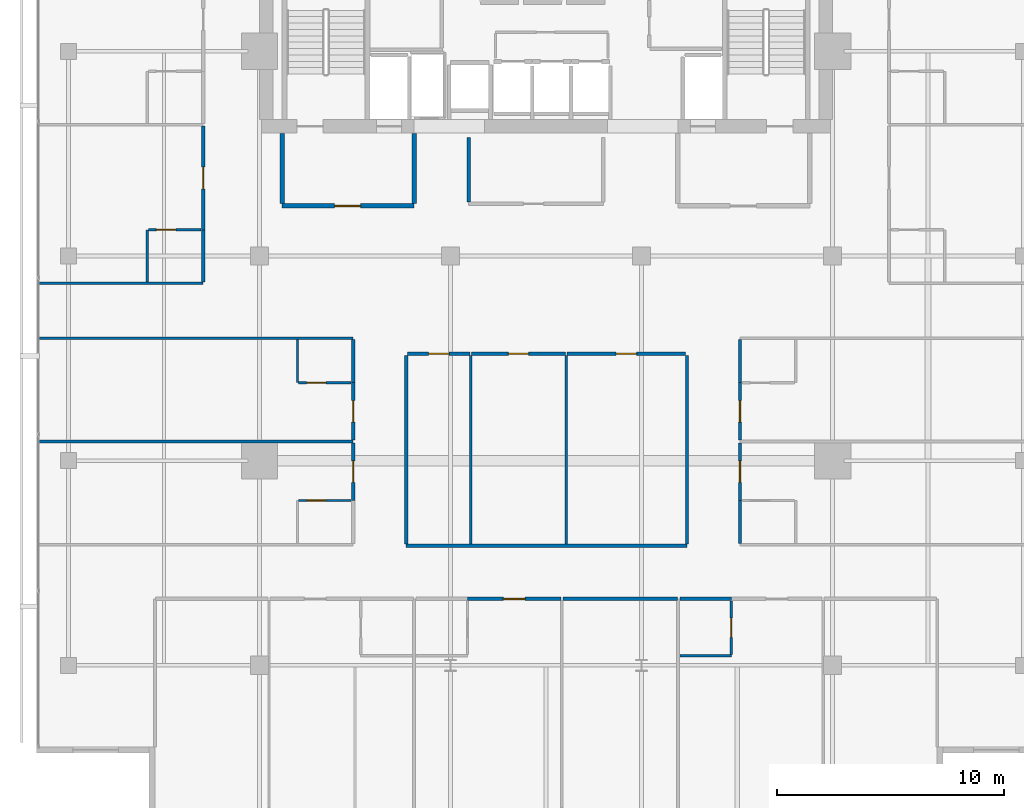
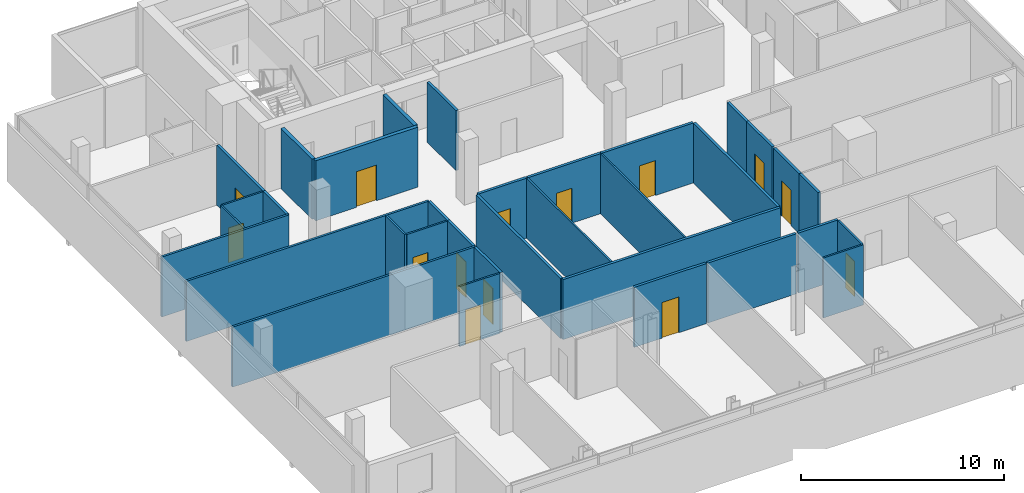
# One storey, part 20 of 25: 34 walls, 14 doors, 14 openings.
"""IFC4 building model written with IfcOpenShell, lengths in metres."""

import ifcopenshell
import ifcopenshell.guid

model = None  # the IFC model being written
_history = None  # IfcOwnerHistory: only IFC2X3 demands one
_inside = {}  # id of a spatial element -> (the spatial element, [elements in it])
_under = {}  # id of a project, library or spatial element -> (it, [spatial elements below it])
_declared = {}  # id of a project -> (the project, [libraries it declares])
_typed = {}  # id of a type object -> (the type object, [elements of that type])
_made_of = {}  # id of a material, layer set ... -> (it, [elements and type objects made of it])


def new_model(schema):
    """Start an empty IFC model of exactly this schema.

    Asked for "IFC4X3", IfcOpenShell would pick the latest addendum, in which some entities
    have other attributes; the version numbers below select the first issue.
    IFC2X3 requires an IfcOwnerHistory on every rooted entity: one is made here for all.
    """
    global model, _history
    if schema == "IFC4X3":
        model = ifcopenshell.file(schema_version=(4, 3, 0, 0))
    else:
        model = ifcopenshell.file(schema=schema)
    _inside.clear()
    _under.clear()
    _declared.clear()
    _typed.clear()
    _made_of.clear()
    _history = None
    if model.schema == "IFC2X3":
        org = make("IfcOrganization", Name="unknown")
        user = make(
            "IfcPersonAndOrganization",
            ThePerson=make("IfcPerson", FamilyName="unknown"),
            TheOrganization=org,
        )
        app = make(
            "IfcApplication",
            ApplicationDeveloper=org,
            Version="unknown",
            ApplicationFullName="unknown",
            ApplicationIdentifier="unknown",
        )
        _history = make(
            "IfcOwnerHistory",
            OwningUser=user,
            OwningApplication=app,
            ChangeAction="ADDED",
            CreationDate=0,
        )
    return model


def make(cls, **values):
    """One entity of the class cls with the attributes given. An attribute that is None is left unset."""
    return model.create_entity(
        cls, **{name: value for name, value in values.items() if value is not None}
    )


def rooted(cls, **values):
    """An entity with a GlobalId (a new one), such as an element, a storey or a relation."""
    return make(cls, GlobalId=ifcopenshell.guid.new(), OwnerHistory=_history, **values)


def si_unit(unit_type, name, prefix=None):
    """IfcSIUnit, for example si_unit("LENGTHUNIT", "METRE", prefix="MILLI")."""
    return make("IfcSIUnit", UnitType=unit_type, Prefix=prefix, Name=name)


def assignment(units):
    """IfcUnitAssignment: the units of a project."""
    return None if units is None else make("IfcUnitAssignment", Units=units)


def point(xyz):
    """IfcCartesianPoint."""
    return None if xyz is None else make("IfcCartesianPoint", Coordinates=xyz)


def direction(xyz):
    """IfcDirection."""
    return None if xyz is None else make("IfcDirection", DirectionRatios=xyz)


def frame(location, z_axis=None, x_axis=None):
    """IfcAxis2Placement3D, a coordinate frame: its origin and axes. An axis left out is left unset."""
    return make(
        "IfcAxis2Placement3D",
        Location=point(location),
        Axis=direction(z_axis),
        RefDirection=direction(x_axis),
    )


def frame_2d(location, x_axis=None):
    """IfcAxis2Placement2D, a coordinate frame in the plane: its origin and x axis."""
    return make(
        "IfcAxis2Placement2D", Location=point(location), RefDirection=direction(x_axis)
    )


def origin():
    """The frame at (0, 0, 0) with its axes left unset."""
    return frame((0.0, 0.0, 0.0))


def place(relative_to, where):
    """IfcLocalPlacement: puts the frame where relative to a parent placement (None: the world)."""
    return make(
        "IfcLocalPlacement", PlacementRelTo=relative_to, RelativePlacement=where
    )


def context(
    kind, dimensions, precision=None, world=None, true_north=None, identifier=None
):
    """IfcGeometricRepresentationContext, for example the 3D "Model" context."""
    return make(
        "IfcGeometricRepresentationContext",
        ContextIdentifier=identifier,
        ContextType=kind,
        CoordinateSpaceDimension=dimensions,
        Precision=precision,
        WorldCoordinateSystem=world,
        TrueNorth=true_north,
    )


def subcontext(parent, identifier, kind, view, scale=None):
    """IfcGeometricRepresentationSubContext, for example "Body" below "Model"."""
    return make(
        "IfcGeometricRepresentationSubContext",
        ContextIdentifier=identifier,
        ContextType=kind,
        ParentContext=parent,
        TargetScale=scale,
        TargetView=view,
    )


def project(units=None, contexts=None):
    """IfcProject with its units and contexts."""
    return rooted(
        "IfcProject",
        Name="project",
        RepresentationContexts=contexts,
        UnitsInContext=assignment(units),
    )


def spatial(cls, under=None, at=None, **own):
    """A site, building, storey or space (cls), placed at a placement, below another one or the project."""
    s = rooted(cls, ObjectPlacement=at, **own)
    if under is not None:
        _under.setdefault(under.id(), (under, []))[1].append(s)
    return s


def profile(cls, at=None, kind="AREA", **sizes):
    """A parametric profile (cls). Its sizes go by their IFC names, for example OverallWidth=200.0."""
    return make(cls, ProfileType=kind, Position=at, **sizes)


def rectangle(**sizes):
    """IfcRectangleProfileDef."""
    return profile("IfcRectangleProfileDef", **sizes)


def extrude(swept, where, along, depth):
    """IfcExtrudedAreaSolid: the profile swept, set in the frame where, extruded along a direction by depth."""
    return make(
        "IfcExtrudedAreaSolid",
        SweptArea=swept,
        Position=where,
        ExtrudedDirection=direction(along),
        Depth=depth,
    )


def shape(context_of_items, identifier, shape_type, items):
    """IfcShapeRepresentation: the items that make up one representation, for example the "Body"."""
    return make(
        "IfcShapeRepresentation",
        ContextOfItems=context_of_items,
        RepresentationIdentifier=identifier,
        RepresentationType=shape_type,
        Items=items,
    )


def material(Name=None, Category=None):
    """IfcMaterial."""
    return make("IfcMaterial", Name=Name, Category=Category)


def layer(
    of_material, thickness, ventilated=None, Name=None, Category=None, Priority=None
):
    """IfcMaterialLayer: one layer of a wall or slab, of a material (None: an air gap)."""
    return make(
        "IfcMaterialLayer",
        Material=of_material,
        LayerThickness=thickness,
        IsVentilated=ventilated,
        Name=Name,
        Category=Category,
        Priority=Priority,
    )


def layer_set(layers, Name=None):
    """IfcMaterialLayerSet."""
    return make("IfcMaterialLayerSet", MaterialLayers=layers, LayerSetName=Name)


def made_of(thing, what):
    """Note that an element or type object is made of a material, layer set ...; save() writes the relation."""
    if what is not None:
        _made_of.setdefault(what.id(), (what, []))[1].append(thing)
    return thing


def type_object(cls, material=None, **own):
    """A type object (cls), such as IfcWallType, which elements share."""
    return made_of(rooted(cls, **own), material)


def element(
    cls,
    number,
    at=None,
    inside=None,
    cuts=None,
    type_object=None,
    material=None,
    context=None,
    identifier="Body",
    shape_type=None,
    held_by="IfcProductDefinitionShape",
    body=None,
    shapes=None,
    **own,
):
    """One element of the class cls, such as IfcWall. Its Tag is "e" and its number.

    at: its placement. inside: the storey or other place that contains it. cuts: it is an
    opening in that element (IfcRelVoidsElement). A single representation is given by context,
    identifier, shape_type and body (its items); several are given by shapes. held_by: the class
    of the entity that holds the representations. save() writes the other relations.
    """
    e = rooted(cls, Tag="e%d" % number, ObjectPlacement=at, **own)
    if body is not None:
        shapes = [shape(context, identifier, shape_type, body)]
    if shapes is not None:
        e.Representation = make(held_by, Representations=shapes)
    if inside is not None:
        _inside.setdefault(inside.id(), (inside, []))[1].append(e)
    if cuts is not None:
        rooted(
            "IfcRelVoidsElement", RelatingBuildingElement=cuts, RelatedOpeningElement=e
        )
    if type_object is not None:
        _typed.setdefault(type_object.id(), (type_object, []))[1].append(e)
    return made_of(e, material)


def fill(opening, filler):
    """IfcRelFillsElement: the door or window that sits in an opening."""
    return rooted(
        "IfcRelFillsElement",
        RelatingOpeningElement=opening,
        RelatedBuildingElement=filler,
    )


def aggregate(whole, parts):
    """IfcRelAggregates: a whole, such as a stair, and the parts it consists of."""
    return rooted("IfcRelAggregates", RelatingObject=whole, RelatedObjects=parts)


def save(model, path):
    """Write the relations noted so far, then the file.

    IfcRelAggregates (storeys below a building ...), IfcRelContainedInSpatialStructure (elements
    in a storey), IfcRelDefinesByType, IfcRelAssociatesMaterial and IfcRelDeclares: one each for
    every whole, place, type object, material and project.
    """
    for whole, parts in _under.values():
        aggregate(whole, parts)
    for where, things in _inside.values():
        rooted(
            "IfcRelContainedInSpatialStructure",
            RelatedElements=things,
            RelatingStructure=where,
        )
    for kind, things in _typed.values():
        rooted("IfcRelDefinesByType", RelatedObjects=things, RelatingType=kind)
    for what, things in _made_of.values():
        rooted("IfcRelAssociatesMaterial", RelatedObjects=things, RelatingMaterial=what)
    for by, libraries in _declared.values():
        rooted("IfcRelDeclares", RelatingContext=by, RelatedDefinitions=libraries)
    model.write(path)


model = new_model("IFC4")

# Units and contexts
model_context = context("Model", 3, precision=1e-05, world=origin(), true_north=direction((0.0, 1.0)))
body_context = subcontext(model_context, "Body", "Model", "MODEL_VIEW")
ifc_project = project(units=[si_unit("LENGTHUNIT", "METRE"), si_unit("AREAUNIT", "SQUARE_METRE"), si_unit("VOLUMEUNIT", "CUBIC_METRE"), si_unit("PLANEANGLEUNIT", "RADIAN"), si_unit("MASSUNIT", "GRAM", prefix="KILO")], contexts=[model_context])

# Site, building, storey
site_placement = place(None, origin())
site = spatial("IfcSite", under=ifc_project, at=site_placement, CompositionType="ELEMENT")
building_placement = place(site_placement, origin())
building = spatial("IfcBuilding", under=site, at=building_placement, Name="Maruvema Waterfront Hotel and Observation Tower", CompositionType="ELEMENT")
storey_placement = place(building_placement, frame((0.0, 0.0, 304.85009765625)))
storey = spatial("IfcBuildingStorey", under=building, at=storey_placement, Name="L75", CompositionType="ELEMENT", Elevation=304.85009765625)

# Walls
ifc_material_1 = material(Name="Twin-stud acoustic gypsum drywall", Category="gypsum")
ifc_layer_1 = layer(ifc_material_1, 0.14990234375, Name="Acoustic Corridor and Suite Demising Wall 150 mm")
ifc_layer_set_1 = layer_set([ifc_layer_1], Name="Twin-stud acoustic gypsum drywall")
wall_type_1 = type_object("IfcWallType", Name="Acoustic Corridor and Suite Demising Wall 150 mm", PredefinedType="PARTITIONING", material=ifc_layer_set_1)
wall_1_placement = place(storey_placement, frame((34.39990234375, 38.3798828125, 0.0), z_axis=(0.0, 0.0, 1.0), x_axis=(0.0, 1.0, 0.0)))
element("IfcWall", 1, at=wall_1_placement, inside=storey, type_object=wall_type_1, Name="L75 Core Apron K0 West 023", PredefinedType="PARTITIONING", context=body_context, shape_type="SweptSolid", body=[
    extrude(rectangle(XDim=2.840087890625, YDim=0.14990234375, at=frame_2d((1.419921875, 0.0))), origin(), (0.0, 0.0, 1.0), 3.60986328125),
])
wall_2_placement = place(storey_placement, frame((31.64990234375, 23.25, 0.0), z_axis=(0.0, 0.0, 1.0), x_axis=(1.0, 0.0, 0.0)))
element("IfcWall", 2, at=wall_2_placement, inside=storey, type_object=wall_type_1, Name="L75 L75-Z3M Back Wall 025", PredefinedType="PARTITIONING", context=body_context, shape_type="SweptSolid", body=[
    extrude(rectangle(XDim=12.35009765625, YDim=0.14990234375, at=frame_2d((6.175048828125, 0.0))), origin(), (0.0, 0.0, 1.0), 3.60986328125),
])
for number, where, z_axis, x_axis, name in (
    (3, (31.64990234375, 23.330078125, 0.0), (0.0, 0.0, 1.0), (0.0, 1.0, 0.0), "L75 L75-Z3M West Wall 026"),
    (4, (44.0, 23.330078125, 0.0), (0.0, 0.0, 1.0), (0.0, 1.0, 0.0), "L75 L75-Z3M East Wall 027"),
):
    element("IfcWall", number, at=place(storey_placement, frame(where, z_axis=z_axis, x_axis=x_axis)), inside=storey, type_object=wall_type_1, Name=name, PredefinedType="PARTITIONING", context=body_context, shape_type="SweptSolid", body=[
        extrude(rectangle(XDim=8.2900390625, YDim=0.14990234375, at=frame_2d((4.14501953125, 0.0))), origin(), (0.0, 0.0, 1.0), 3.60986328125),
    ])

# Wall, opening, door
wall_3_placement = place(storey_placement, frame((31.7099609375, 31.699951171875, 0.0), z_axis=(0.0, 0.0, 1.0), x_axis=(1.0, 0.0, 0.0)))
wall_3 = element("IfcWall", 5, at=wall_3_placement, inside=storey, type_object=wall_type_1, Name="L75 L75-Z3M Front 1 028", PredefinedType="PARTITIONING", context=body_context, shape_type="SweptSolid", body=[
    extrude(rectangle(XDim=2.75048828125, YDim=0.14990234375, at=frame_2d((1.375244140625, 0.0))), origin(), (0.0, 0.0, 1.0), 3.60986328125),
])
opening_1_placement = place(wall_3_placement, frame((0.92529296875, 0.0, 0.0)))
opening_1 = element("IfcOpeningElement", 6, at=opening_1_placement, cuts=wall_3, Name="Opening DR-090", PredefinedType="OPENING", context=body_context, shape_type="SweptSolid", body=[
    extrude(rectangle(XDim=0.89990234375, YDim=2.10009765625, at=frame_2d((0.449951171875, 1.050048828125))), frame((0.0, 0.0849609375, 0.0), z_axis=(0.0, -1.0, 0.0), x_axis=(1.0, 0.0, 0.0)), (0.0, 0.0, 1.0), 0.169921875),
])
ifc_material_2 = material(Name="Solid-core lacquered timber leaf", Category="wood")
door_type_1 = type_object("IfcDoorType", Name="Accessible Toilet and Room Door 900x2100 mm", OperationType="NOTDEFINED", PredefinedType="DOOR", material=ifc_material_2)
door_1_placement = place(opening_1_placement, origin())
door_1 = element("IfcDoor", 7, at=door_1_placement, inside=storey, type_object=door_type_1, Name="L75 Horizon Gallery Lounge 1 Door", OperationType="SINGLE_SWING_RIGHT", OverallHeight=2.10009765625, OverallWidth=0.89990234375, PredefinedType="DOOR", context=body_context, shape_type="SweptSolid", body=[
    extrude(rectangle(XDim=0.89990234375, YDim=2.10009765625, at=frame_2d((0.449951171875, 1.050048828125))), frame((0.0, 0.02490234375, 0.0), z_axis=(0.0, -1.0, 0.0), x_axis=(1.0, 0.0, 0.0)), (0.0, 0.0, 1.0), 0.050048828125),
])
fill(opening_1, door_1)

wall_4_placement = place(storey_placement, frame((34.5205078125, 31.699951171875, 0.0), z_axis=(0.0, 0.0, 1.0), x_axis=(1.0, 0.0, 0.0)))
wall_4 = element("IfcWall", 8, at=wall_4_placement, inside=storey, type_object=wall_type_1, Name="L75 L75-Z3M Front 2 030", PredefinedType="PARTITIONING", context=body_context, shape_type="SweptSolid", body=[
    extrude(rectangle(XDim=4.138916015625, YDim=0.14990234375, at=frame_2d((2.0693359375, 0.0))), origin(), (0.0, 0.0, 1.0), 3.60986328125),
])
opening_2_placement = place(wall_4_placement, frame((1.619384765625, 0.0, 0.0)))
opening_2 = element("IfcOpeningElement", 9, at=opening_2_placement, cuts=wall_4, Name="Opening DR-090", PredefinedType="OPENING", context=body_context, shape_type="SweptSolid", body=[
    extrude(rectangle(XDim=0.89990234375, YDim=2.10009765625, at=frame_2d((0.449951171875, 1.050048828125))), frame((0.0, 0.0849609375, 0.0), z_axis=(0.0, -1.0, 0.0), x_axis=(1.0, 0.0, 0.0)), (0.0, 0.0, 1.0), 0.169921875),
])
door_2_placement = place(opening_2_placement, origin())
door_2 = element("IfcDoor", 10, at=door_2_placement, inside=storey, type_object=door_type_1, Name="L75 Horizon Gallery Lounge 2 Door", OperationType="SINGLE_SWING_LEFT", OverallHeight=2.10009765625, OverallWidth=0.89990234375, PredefinedType="DOOR", context=body_context, shape_type="SweptSolid", body=[
    extrude(rectangle(XDim=0.89990234375, YDim=2.10009765625, at=frame_2d((0.449951171875, 1.050048828125))), frame((0.0, 0.02490234375, 0.0), z_axis=(0.0, -1.0, 0.0), x_axis=(1.0, 0.0, 0.0)), (0.0, 0.0, 1.0), 0.050048828125),
])
fill(opening_2, door_2)

wall_5_placement = place(storey_placement, frame((38.719482421875, 31.699951171875, 0.0), z_axis=(0.0, 0.0, 1.0), x_axis=(1.0, 0.0, 0.0)))
wall_5 = element("IfcWall", 11, at=wall_5_placement, inside=storey, type_object=wall_type_1, Name="L75 L75-Z3M Front 3 032", PredefinedType="PARTITIONING", context=body_context, shape_type="SweptSolid", body=[
    extrude(rectangle(XDim=5.220458984375, YDim=0.14990234375, at=frame_2d((2.6103515625, 0.0))), origin(), (0.0, 0.0, 1.0), 3.60986328125),
])
opening_3_placement = place(wall_5_placement, frame((2.160400390625, 0.0, 0.0)))
opening_3 = element("IfcOpeningElement", 12, at=opening_3_placement, cuts=wall_5, Name="Opening DR-090", PredefinedType="OPENING", context=body_context, shape_type="SweptSolid", body=[
    extrude(rectangle(XDim=0.89990234375, YDim=2.10009765625, at=frame_2d((0.449951171875, 1.050048828125))), frame((0.0, 0.0849609375, 0.0), z_axis=(0.0, -1.0, 0.0), x_axis=(1.0, 0.0, 0.0)), (0.0, 0.0, 1.0), 0.169921875),
])
door_3_placement = place(opening_3_placement, origin())
door_3 = element("IfcDoor", 13, at=door_3_placement, inside=storey, type_object=door_type_1, Name="L75 Butler Kitchen Door", OperationType="SINGLE_SWING_RIGHT", OverallHeight=2.10009765625, OverallWidth=0.89990234375, PredefinedType="DOOR", context=body_context, shape_type="SweptSolid", body=[
    extrude(rectangle(XDim=0.89990234375, YDim=2.10009765625, at=frame_2d((0.449951171875, 1.050048828125))), frame((0.0, 0.02490234375, 0.0), z_axis=(0.0, -1.0, 0.0), x_axis=(1.0, 0.0, 0.0)), (0.0, 0.0, 1.0), 0.050048828125),
])
fill(opening_3, door_3)

wall_6_placement = place(storey_placement, frame((34.35009765625, 20.919921875, 0.0), z_axis=(0.0, 0.0, 1.0), x_axis=(1.0, 0.0, 0.0)))
wall_6 = element("IfcWall", 14, at=wall_6_placement, inside=storey, type_object=wall_type_1, Name="L75 Unit L75-S2 Corridor Wall 045", PredefinedType="PARTITIONING", context=body_context, shape_type="SweptSolid", body=[
    extrude(rectangle(XDim=4.10595703125, YDim=0.14990234375, at=frame_2d((2.052978515625, 0.0))), origin(), (0.0, 0.0, 1.0), 3.60986328125),
])
opening_4_placement = place(wall_6_placement, frame((1.577880859375, 0.0, 0.0)))
opening_4 = element("IfcOpeningElement", 15, at=opening_4_placement, cuts=wall_6, Name="Opening DR-095", PredefinedType="OPENING", context=body_context, shape_type="SweptSolid", body=[
    extrude(rectangle(XDim=0.949951171875, YDim=2.14990234375, at=frame_2d((0.47509765625, 1.074951171875))), frame((0.0, 0.0849609375, 0.0), z_axis=(0.0, -1.0, 0.0), x_axis=(1.0, 0.0, 0.0)), (0.0, 0.0, 1.0), 0.169921875),
])
ifc_material_3 = material(Name="Acoustic solid-core hardwood timber leaf", Category="wood")
door_type_2 = type_object("IfcDoorType", Name="Guestroom Entrance Fire Door 950x2150 mm", OperationType="NOTDEFINED", PredefinedType="DOOR", material=ifc_material_3)
door_4_placement = place(opening_4_placement, frame((0.949951171875, 0.0, 0.0), z_axis=(0.0, 0.0, 1.0), x_axis=(-1.0, 0.0, 0.0)))
door_4 = element("IfcDoor", 16, at=door_4_placement, inside=storey, type_object=door_type_2, Name="L75 Unit L75-S2 Entrance Door", OperationType="SINGLE_SWING_LEFT", OverallHeight=2.14990234375, OverallWidth=0.949951171875, PredefinedType="DOOR", context=body_context, shape_type="SweptSolid", body=[
    extrude(rectangle(XDim=0.949951171875, YDim=2.14990234375, at=frame_2d((0.47509765625, 1.074951171875))), frame((0.0, 0.02490234375, 0.0), z_axis=(0.0, -1.0, 0.0), x_axis=(1.0, 0.0, 0.0)), (0.0, 0.0, 1.0), 0.050048828125),
])
fill(opening_4, door_4)

# Walls
wall_7_placement = place(storey_placement, frame((38.535888671875, 20.919921875, 0.0), z_axis=(0.0, 0.0, 1.0), x_axis=(1.0, 0.0, 0.0)))
element("IfcWall", 17, at=wall_7_placement, inside=storey, type_object=wall_type_1, Name="L75 Bedroom L75-S2 Back Wall 046", PredefinedType="PARTITIONING", context=body_context, shape_type="SweptSolid", body=[
    extrude(rectangle(XDim=5.044189453125, YDim=0.14990234375, at=frame_2d((2.52197265625, 0.0))), origin(), (0.0, 0.0, 1.0), 3.60986328125),
])
wall_8_placement = place(storey_placement, frame((43.679931640625, 20.919921875, 0.0), z_axis=(0.0, 0.0, 1.0), x_axis=(1.0, 0.0, 0.0)))
element("IfcWall", 18, at=wall_8_placement, inside=storey, type_object=wall_type_1, Name="L75 Bath L75-S3 Back Wall 049", PredefinedType="PARTITIONING", context=body_context, shape_type="SweptSolid", body=[
    extrude(rectangle(XDim=2.27001953125, YDim=0.14990234375, at=frame_2d((1.135009765625, 0.0))), origin(), (0.0, 0.0, 1.0), 3.60986328125),
])

# Wall, opening, door
wall_9_placement = place(storey_placement, frame((29.320068359375, 25.25, 0.0), z_axis=(0.0, 0.0, 1.0), x_axis=(0.0, 1.0, 0.0)))
wall_9 = element("IfcWall", 19, at=wall_9_placement, inside=storey, type_object=wall_type_1, Name="L75 Room L75-W1 Corridor Wall 060", PredefinedType="PARTITIONING", context=body_context, shape_type="SweptSolid", body=[
    extrude(rectangle(XDim=2.530029296875, YDim=0.14990234375, at=frame_2d((1.26513671875, 0.0))), origin(), (0.0, 0.0, 1.0), 3.60986328125),
])
opening_5_placement = place(wall_9_placement, frame((0.7900390625, 0.0, 0.0)))
opening_5 = element("IfcOpeningElement", 20, at=opening_5_placement, cuts=wall_9, Name="Opening DR-095", PredefinedType="OPENING", context=body_context, shape_type="SweptSolid", body=[
    extrude(rectangle(XDim=0.949951171875, YDim=2.14990234375, at=frame_2d((0.47509765625, 1.074951171875))), frame((0.0, 0.0849609375, 0.0), z_axis=(0.0, -1.0, 0.0), x_axis=(1.0, 0.0, 0.0)), (0.0, 0.0, 1.0), 0.169921875),
])
door_5_placement = place(opening_5_placement, origin())
door_5 = element("IfcDoor", 21, at=door_5_placement, inside=storey, type_object=door_type_2, Name="L75 Room L75-W1 Entrance Door", OperationType="SINGLE_SWING_LEFT", OverallHeight=2.14990234375, OverallWidth=0.949951171875, PredefinedType="DOOR", context=body_context, shape_type="SweptSolid", body=[
    extrude(rectangle(XDim=0.949951171875, YDim=2.14990234375, at=frame_2d((0.47509765625, 1.074951171875))), frame((0.0, 0.02490234375, 0.0), z_axis=(0.0, -1.0, 0.0), x_axis=(1.0, 0.0, 0.0)), (0.0, 0.0, 1.0), 0.050048828125),
])
fill(opening_5, door_5)

# Wall
wall_10_placement = place(storey_placement, frame((46.330078125, 23.360107421875, 0.0), z_axis=(0.0, 0.0, 1.0), x_axis=(0.0, 1.0, 0.0)))
element("IfcWall", 22, at=wall_10_placement, inside=storey, type_object=wall_type_1, Name="L75 Bath L75-E1 Wall 063", PredefinedType="PARTITIONING", context=body_context, shape_type="SweptSolid", body=[
    extrude(rectangle(XDim=1.889892578125, YDim=0.14990234375, at=frame_2d((0.94482421875, 0.0))), origin(), (0.0, 0.0, 1.0), 3.60986328125),
])

# Wall, opening, door
wall_11_placement = place(storey_placement, frame((46.330078125, 25.25, 0.0), z_axis=(0.0, 0.0, 1.0), x_axis=(0.0, 1.0, 0.0)))
wall_11 = element("IfcWall", 23, at=wall_11_placement, inside=storey, type_object=wall_type_1, Name="L75 Room L75-E1 Corridor Wall 064", PredefinedType="PARTITIONING", context=body_context, shape_type="SweptSolid", body=[
    extrude(rectangle(XDim=2.530029296875, YDim=0.14990234375, at=frame_2d((1.26513671875, 0.0))), origin(), (0.0, 0.0, 1.0), 3.60986328125),
])
opening_6_placement = place(wall_11_placement, frame((0.7900390625, 0.0, 0.0)))
opening_6 = element("IfcOpeningElement", 24, at=opening_6_placement, cuts=wall_11, Name="Opening DR-095", PredefinedType="OPENING", context=body_context, shape_type="SweptSolid", body=[
    extrude(rectangle(XDim=0.949951171875, YDim=2.14990234375, at=frame_2d((0.47509765625, 1.074951171875))), frame((0.0, 0.0849609375, 0.0), z_axis=(0.0, -1.0, 0.0), x_axis=(1.0, 0.0, 0.0)), (0.0, 0.0, 1.0), 0.169921875),
])
door_6_placement = place(opening_6_placement, frame((0.949951171875, 0.0, 0.0), z_axis=(0.0, 0.0, 1.0), x_axis=(-1.0, 0.0, 0.0)))
door_6 = element("IfcDoor", 25, at=door_6_placement, inside=storey, type_object=door_type_2, Name="L75 Room L75-E1 Entrance Door", OperationType="SINGLE_SWING_LEFT", OverallHeight=2.14990234375, OverallWidth=0.949951171875, PredefinedType="DOOR", context=body_context, shape_type="SweptSolid", body=[
    extrude(rectangle(XDim=0.949951171875, YDim=2.14990234375, at=frame_2d((0.47509765625, 1.074951171875))), frame((0.0, 0.02490234375, 0.0), z_axis=(0.0, -1.0, 0.0), x_axis=(1.0, 0.0, 0.0)), (0.0, 0.0, 1.0), 0.050048828125),
])
fill(opening_6, door_6)

wall_12_placement = place(storey_placement, frame((29.320068359375, 27.89990234375, 0.0), z_axis=(0.0, 0.0, 1.0), x_axis=(0.0, 1.0, 0.0)))
wall_12 = element("IfcWall", 26, at=wall_12_placement, inside=storey, type_object=wall_type_1, Name="L75 Room L75-W2 Corridor Wall 069", PredefinedType="PARTITIONING", context=body_context, shape_type="SweptSolid", body=[
    extrude(rectangle(XDim=2.530029296875, YDim=0.14990234375, at=frame_2d((1.26513671875, 0.0))), origin(), (0.0, 0.0, 1.0), 3.60986328125),
])
opening_7_placement = place(wall_12_placement, frame((0.7900390625, 0.0, 0.0)))
opening_7 = element("IfcOpeningElement", 27, at=opening_7_placement, cuts=wall_12, Name="Opening DR-095", PredefinedType="OPENING", context=body_context, shape_type="SweptSolid", body=[
    extrude(rectangle(XDim=0.949951171875, YDim=2.14990234375, at=frame_2d((0.47509765625, 1.074951171875))), frame((0.0, 0.0849609375, 0.0), z_axis=(0.0, -1.0, 0.0), x_axis=(1.0, 0.0, 0.0)), (0.0, 0.0, 1.0), 0.169921875),
])
door_7_placement = place(opening_7_placement, origin())
door_7 = element("IfcDoor", 28, at=door_7_placement, inside=storey, type_object=door_type_2, Name="L75 Room L75-W2 Entrance Door", OperationType="SINGLE_SWING_LEFT", OverallHeight=2.14990234375, OverallWidth=0.949951171875, PredefinedType="DOOR", context=body_context, shape_type="SweptSolid", body=[
    extrude(rectangle(XDim=0.949951171875, YDim=2.14990234375, at=frame_2d((0.47509765625, 1.074951171875))), frame((0.0, 0.02490234375, 0.0), z_axis=(0.0, -1.0, 0.0), x_axis=(1.0, 0.0, 0.0)), (0.0, 0.0, 1.0), 0.050048828125),
])
fill(opening_7, door_7)

# Wall
wall_13_placement = place(storey_placement, frame((29.320068359375, 30.429931640625, 0.0), z_axis=(0.0, 0.0, 1.0), x_axis=(0.0, 1.0, 0.0)))
element("IfcWall", 29, at=wall_13_placement, inside=storey, type_object=wall_type_1, Name="L75 Bath L75-W2 Wall 070", PredefinedType="PARTITIONING", context=body_context, shape_type="SweptSolid", body=[
    extrude(rectangle(XDim=1.89013671875, YDim=0.14990234375, at=frame_2d((0.945068359375, 0.0))), origin(), (0.0, 0.0, 1.0), 3.60986328125),
])

# Wall, opening, door
wall_14_placement = place(storey_placement, frame((46.330078125, 27.89990234375, 0.0), z_axis=(0.0, 0.0, 1.0), x_axis=(0.0, 1.0, 0.0)))
wall_14 = element("IfcWall", 30, at=wall_14_placement, inside=storey, type_object=wall_type_1, Name="L75 Room L75-E2 Corridor Wall 073", PredefinedType="PARTITIONING", context=body_context, shape_type="SweptSolid", body=[
    extrude(rectangle(XDim=2.530029296875, YDim=0.14990234375, at=frame_2d((1.26513671875, 0.0))), origin(), (0.0, 0.0, 1.0), 3.60986328125),
])
opening_8_placement = place(wall_14_placement, frame((0.7900390625, 0.0, 0.0)))
opening_8 = element("IfcOpeningElement", 31, at=opening_8_placement, cuts=wall_14, Name="Opening DR-095", PredefinedType="OPENING", context=body_context, shape_type="SweptSolid", body=[
    extrude(rectangle(XDim=0.949951171875, YDim=2.14990234375, at=frame_2d((0.47509765625, 1.074951171875))), frame((0.0, 0.0849609375, 0.0), z_axis=(0.0, -1.0, 0.0), x_axis=(1.0, 0.0, 0.0)), (0.0, 0.0, 1.0), 0.169921875),
])
door_8_placement = place(opening_8_placement, frame((0.949951171875, 0.0, 0.0), z_axis=(0.0, 0.0, 1.0), x_axis=(-1.0, 0.0, 0.0)))
door_8 = element("IfcDoor", 32, at=door_8_placement, inside=storey, type_object=door_type_2, Name="L75 Room L75-E2 Entrance Door", OperationType="SINGLE_SWING_LEFT", OverallHeight=2.14990234375, OverallWidth=0.949951171875, PredefinedType="DOOR", context=body_context, shape_type="SweptSolid", body=[
    extrude(rectangle(XDim=0.949951171875, YDim=2.14990234375, at=frame_2d((0.47509765625, 1.074951171875))), frame((0.0, 0.02490234375, 0.0), z_axis=(0.0, -1.0, 0.0), x_axis=(1.0, 0.0, 0.0)), (0.0, 0.0, 1.0), 0.050048828125),
])
fill(opening_8, door_8)

# Walls
wall_15_placement = place(storey_placement, frame((46.330078125, 30.429931640625, 0.0), z_axis=(0.0, 0.0, 1.0), x_axis=(0.0, 1.0, 0.0)))
element("IfcWall", 33, at=wall_15_placement, inside=storey, type_object=wall_type_1, Name="L75 Bath L75-E2 Wall 074", PredefinedType="PARTITIONING", context=body_context, shape_type="SweptSolid", body=[
    extrude(rectangle(XDim=1.89013671875, YDim=0.14990234375, at=frame_2d((0.945068359375, 0.0))), origin(), (0.0, 0.0, 1.0), 3.60986328125),
])
wall_16_placement = place(storey_placement, frame((22.719970703125, 34.860107421875, 0.0), z_axis=(0.0, 0.0, 1.0), x_axis=(0.0, 1.0, 0.0)))
element("IfcWall", 34, at=wall_16_placement, inside=storey, type_object=wall_type_1, Name="L75 Bath L75-NW1 Wall 081", PredefinedType="PARTITIONING", context=body_context, shape_type="SweptSolid", body=[
    extrude(rectangle(XDim=2.289794921875, YDim=0.14990234375, at=frame_2d((1.14501953125, 0.0))), origin(), (0.0, 0.0, 1.0), 3.60986328125),
])

# Wall, opening, door
wall_17_placement = place(storey_placement, frame((22.719970703125, 37.14990234375, 0.0), z_axis=(0.0, 0.0, 1.0), x_axis=(0.0, 1.0, 0.0)))
wall_17 = element("IfcWall", 35, at=wall_17_placement, inside=storey, type_object=wall_type_1, Name="L75 Room L75-NW1 Corridor Wall 082", PredefinedType="PARTITIONING", context=body_context, shape_type="SweptSolid", body=[
    extrude(rectangle(XDim=4.558837890625, YDim=0.14990234375, at=frame_2d((2.279296875, 0.0))), origin(), (0.0, 0.0, 1.0), 3.60986328125),
])
opening_9_placement = place(wall_17_placement, frame((1.804443359375, 0.0, 0.0)))
opening_9 = element("IfcOpeningElement", 36, at=opening_9_placement, cuts=wall_17, Name="Opening DR-095", PredefinedType="OPENING", context=body_context, shape_type="SweptSolid", body=[
    extrude(rectangle(XDim=0.949951171875, YDim=2.14990234375, at=frame_2d((0.47509765625, 1.074951171875))), frame((0.0, 0.0849609375, 0.0), z_axis=(0.0, -1.0, 0.0), x_axis=(1.0, 0.0, 0.0)), (0.0, 0.0, 1.0), 0.169921875),
])
door_9_placement = place(opening_9_placement, origin())
door_9 = element("IfcDoor", 37, at=door_9_placement, inside=storey, type_object=door_type_2, Name="L75 Room L75-NW1 Entrance Door", OperationType="SINGLE_SWING_LEFT", OverallHeight=2.14990234375, OverallWidth=0.949951171875, PredefinedType="DOOR", context=body_context, shape_type="SweptSolid", body=[
    extrude(rectangle(XDim=0.949951171875, YDim=2.14990234375, at=frame_2d((0.47509765625, 1.074951171875))), frame((0.0, 0.02490234375, 0.0), z_axis=(0.0, -1.0, 0.0), x_axis=(1.0, 0.0, 0.0)), (0.0, 0.0, 1.0), 0.050048828125),
])
fill(opening_9, door_9)

# Walls
ifc_material_4 = material(Name="Moisture-resistant cement-board drywall", Category="gypsum")
ifc_layer_2 = layer(ifc_material_4, 0.10009765625, Name="En-Suite Moisture-Resistant Partition 100 mm")
ifc_layer_set_2 = layer_set([ifc_layer_2], Name="Moisture-resistant cement-board drywall")
wall_type_2 = type_object("IfcWallType", Name="En-Suite Moisture-Resistant Partition 100 mm", PredefinedType="PARTITIONING", material=ifc_layer_set_2)
for number, where, z_axis, x_axis, name in (
    (38, (34.490478515625, 23.330078125, 0.0), (0.0, 0.0, 1.0), (0.0, 1.0, 0.0), "L75 L75-Z3M Split 1 029"),
    (39, (38.689453125, 23.330078125, 0.0), (0.0, 0.0, 1.0), (0.0, 1.0, 0.0), "L75 L75-Z3M Split 2 031"),
):
    element("IfcWall", number, at=place(storey_placement, frame(where, z_axis=z_axis, x_axis=x_axis)), inside=storey, type_object=wall_type_2, Name=name, PredefinedType="PARTITIONING", context=body_context, shape_type="SweptSolid", body=[
        extrude(rectangle(XDim=8.2900390625, YDim=0.10009765625, at=frame_2d((4.14501953125, 0.0))), origin(), (0.0, 0.0, 1.0), 3.60986328125),
    ])
wall_18_placement = place(storey_placement, frame((43.679931640625, 18.419921875, 0.0), z_axis=(0.0, 0.0, 1.0), x_axis=(1.0, 0.0, 0.0)))
element("IfcWall", 40, at=wall_18_placement, inside=storey, type_object=wall_type_2, Name="L75 En-Suite L75-S3 South 050", PredefinedType="PARTITIONING", context=body_context, shape_type="SweptSolid", body=[
    extrude(rectangle(XDim=2.27001953125, YDim=0.10009765625, at=frame_2d((1.135009765625, 0.0))), origin(), (0.0, 0.0, 1.0), 3.60986328125),
])

# Wall, opening, door
wall_19_placement = place(storey_placement, frame((45.949951171875, 18.47998046875, 0.0), z_axis=(0.0, 0.0, 1.0), x_axis=(0.0, 1.0, 0.0)))
wall_19 = element("IfcWall", 41, at=wall_19_placement, inside=storey, type_object=wall_type_2, Name="L75 En-Suite L75-S3 East 051", PredefinedType="PARTITIONING", context=body_context, shape_type="SweptSolid", body=[
    extrude(rectangle(XDim=2.340087890625, YDim=0.10009765625, at=frame_2d((1.169921875, 0.0))), origin(), (0.0, 0.0, 1.0), 3.60986328125),
])
opening_10_placement = place(wall_19_placement, frame((0.7451171875, 0.0, 0.0)))
opening_10 = element("IfcOpeningElement", 42, at=opening_10_placement, cuts=wall_19, Name="Opening DR-085", PredefinedType="OPENING", context=body_context, shape_type="SweptSolid", body=[
    extrude(rectangle(XDim=0.85009765625, YDim=2.10009765625, at=frame_2d((0.425048828125, 1.050048828125))), frame((0.0, 0.06005859375, 0.0), z_axis=(0.0, -1.0, 0.0), x_axis=(1.0, 0.0, 0.0)), (0.0, 0.0, 1.0), 0.1201171875),
])
ifc_material_5 = material(Name="Moisture-resistant solid timber leaf", Category="wood")
door_type_3 = type_object("IfcDoorType", Name="En-Suite Bathroom Door 850x2100 mm", OperationType="NOTDEFINED", PredefinedType="DOOR", material=ifc_material_5)
door_10_placement = place(opening_10_placement, frame((0.85009765625, 0.0, 0.0), z_axis=(0.0, 0.0, 1.0), x_axis=(-1.0, 0.0, 0.0)))
door_10 = element("IfcDoor", 43, at=door_10_placement, inside=storey, type_object=door_type_3, Name="L75 En-Suite L75-S3 Door", OperationType="SINGLE_SWING_LEFT", OverallHeight=2.10009765625, OverallWidth=0.85009765625, PredefinedType="DOOR", context=body_context, shape_type="SweptSolid", body=[
    extrude(rectangle(XDim=0.85009765625, YDim=2.10009765625, at=frame_2d((0.425048828125, 1.050048828125))), frame((0.0, 0.02490234375, 0.0), z_axis=(0.0, -1.0, 0.0), x_axis=(1.0, 0.0, 0.0)), (0.0, 0.0, 1.0), 0.050048828125),
])
fill(opening_10, door_10)

wall_20_placement = place(storey_placement, frame((26.919921875, 25.25, 0.0), z_axis=(0.0, 0.0, 1.0), x_axis=(1.0, 0.0, 0.0)))
wall_20 = element("IfcWall", 44, at=wall_20_placement, inside=storey, type_object=wall_type_2, Name="L75 En-Suite L75-W1 N 062", PredefinedType="PARTITIONING", context=body_context, shape_type="SweptSolid", body=[
    extrude(rectangle(XDim=2.300048828125, YDim=0.10009765625, at=frame_2d((1.14990234375, 0.0))), origin(), (0.0, 0.0, 1.0), 3.60986328125),
])
opening_11_placement = place(wall_20_placement, frame((0.35009765625, 0.0, 0.0)))
opening_11 = element("IfcOpeningElement", 45, at=opening_11_placement, cuts=wall_20, Name="Opening DR-085", PredefinedType="OPENING", context=body_context, shape_type="SweptSolid", body=[
    extrude(rectangle(XDim=0.85009765625, YDim=2.10009765625, at=frame_2d((0.425048828125, 1.050048828125))), frame((0.0, 0.06005859375, 0.0), z_axis=(0.0, -1.0, 0.0), x_axis=(1.0, 0.0, 0.0)), (0.0, 0.0, 1.0), 0.1201171875),
])
door_11_placement = place(opening_11_placement, origin())
door_11 = element("IfcDoor", 46, at=door_11_placement, inside=storey, type_object=door_type_3, Name="L75 En-Suite L75-W1 Door", OperationType="SINGLE_SWING_RIGHT", OverallHeight=2.10009765625, OverallWidth=0.85009765625, PredefinedType="DOOR", context=body_context, shape_type="SweptSolid", body=[
    extrude(rectangle(XDim=0.85009765625, YDim=2.10009765625, at=frame_2d((0.425048828125, 1.050048828125))), frame((0.0, 0.02490234375, 0.0), z_axis=(0.0, -1.0, 0.0), x_axis=(1.0, 0.0, 0.0)), (0.0, 0.0, 1.0), 0.050048828125),
])
fill(opening_11, door_11)

# Wall
wall_21_placement = place(storey_placement, frame((26.8701171875, 30.429931640625, 0.0), z_axis=(0.0, 0.0, 1.0), x_axis=(0.0, 1.0, 0.0)))
element("IfcWall", 47, at=wall_21_placement, inside=storey, type_object=wall_type_2, Name="L75 En-Suite L75-W2 W 071", PredefinedType="PARTITIONING", context=body_context, shape_type="SweptSolid", body=[
    extrude(rectangle(XDim=1.89013671875, YDim=0.10009765625, at=frame_2d((0.945068359375, 0.0))), origin(), (0.0, 0.0, 1.0), 3.60986328125),
])

# Wall, opening, door
wall_22_placement = place(storey_placement, frame((26.919921875, 30.429931640625, 0.0), z_axis=(0.0, 0.0, 1.0), x_axis=(1.0, 0.0, 0.0)))
wall_22 = element("IfcWall", 48, at=wall_22_placement, inside=storey, type_object=wall_type_2, Name="L75 En-Suite L75-W2 S 072", PredefinedType="PARTITIONING", context=body_context, shape_type="SweptSolid", body=[
    extrude(rectangle(XDim=2.300048828125, YDim=0.10009765625, at=frame_2d((1.14990234375, 0.0))), origin(), (0.0, 0.0, 1.0), 3.60986328125),
])
opening_12_placement = place(wall_22_placement, frame((0.35009765625, 0.0, 0.0)))
opening_12 = element("IfcOpeningElement", 49, at=opening_12_placement, cuts=wall_22, Name="Opening DR-085", PredefinedType="OPENING", context=body_context, shape_type="SweptSolid", body=[
    extrude(rectangle(XDim=0.85009765625, YDim=2.10009765625, at=frame_2d((0.425048828125, 1.050048828125))), frame((0.0, 0.06005859375, 0.0), z_axis=(0.0, -1.0, 0.0), x_axis=(1.0, 0.0, 0.0)), (0.0, 0.0, 1.0), 0.1201171875),
])
door_12_placement = place(opening_12_placement, frame((0.85009765625, 0.0, 0.0), z_axis=(0.0, 0.0, 1.0), x_axis=(-1.0, 0.0, 0.0)))
door_12 = element("IfcDoor", 50, at=door_12_placement, inside=storey, type_object=door_type_3, Name="L75 En-Suite L75-W2 Door", OperationType="SINGLE_SWING_RIGHT", OverallHeight=2.10009765625, OverallWidth=0.85009765625, PredefinedType="DOOR", context=body_context, shape_type="SweptSolid", body=[
    extrude(rectangle(XDim=0.85009765625, YDim=2.10009765625, at=frame_2d((0.425048828125, 1.050048828125))), frame((0.0, 0.02490234375, 0.0), z_axis=(0.0, -1.0, 0.0), x_axis=(1.0, 0.0, 0.0)), (0.0, 0.0, 1.0), 0.050048828125),
])
fill(opening_12, door_12)

# Wall
wall_23_placement = place(storey_placement, frame((20.27001953125, 34.860107421875, 0.0), z_axis=(0.0, 0.0, 1.0), x_axis=(0.0, 1.0, 0.0)))
element("IfcWall", 51, at=wall_23_placement, inside=storey, type_object=wall_type_2, Name="L75 En-Suite L75-NW1 W 083", PredefinedType="PARTITIONING", context=body_context, shape_type="SweptSolid", body=[
    extrude(rectangle(XDim=2.289794921875, YDim=0.10009765625, at=frame_2d((1.14501953125, 0.0))), origin(), (0.0, 0.0, 1.0), 3.60986328125),
])

# Wall, opening, door
wall_24_placement = place(storey_placement, frame((20.320068359375, 37.14990234375, 0.0), z_axis=(0.0, 0.0, 1.0), x_axis=(1.0, 0.0, 0.0)))
wall_24 = element("IfcWall", 52, at=wall_24_placement, inside=storey, type_object=wall_type_2, Name="L75 En-Suite L75-NW1 N 084", PredefinedType="PARTITIONING", context=body_context, shape_type="SweptSolid", body=[
    extrude(rectangle(XDim=2.300048828125, YDim=0.10009765625, at=frame_2d((1.14990234375, 0.0))), origin(), (0.0, 0.0, 1.0), 3.60986328125),
])
opening_13_placement = place(wall_24_placement, frame((0.35009765625, 0.0, 0.0)))
opening_13 = element("IfcOpeningElement", 53, at=opening_13_placement, cuts=wall_24, Name="Opening DR-085", PredefinedType="OPENING", context=body_context, shape_type="SweptSolid", body=[
    extrude(rectangle(XDim=0.85009765625, YDim=2.10009765625, at=frame_2d((0.425048828125, 1.050048828125))), frame((0.0, 0.06005859375, 0.0), z_axis=(0.0, -1.0, 0.0), x_axis=(1.0, 0.0, 0.0)), (0.0, 0.0, 1.0), 0.1201171875),
])
door_13_placement = place(opening_13_placement, origin())
door_13 = element("IfcDoor", 54, at=door_13_placement, inside=storey, type_object=door_type_3, Name="L75 En-Suite L75-NW1 Door", OperationType="SINGLE_SWING_RIGHT", OverallHeight=2.10009765625, OverallWidth=0.85009765625, PredefinedType="DOOR", context=body_context, shape_type="SweptSolid", body=[
    extrude(rectangle(XDim=0.85009765625, YDim=2.10009765625, at=frame_2d((0.425048828125, 1.050048828125))), frame((0.0, 0.02490234375, 0.0), z_axis=(0.0, -1.0, 0.0), x_axis=(1.0, 0.0, 0.0)), (0.0, 0.0, 1.0), 0.050048828125),
])
fill(opening_13, door_13)

ifc_material_6 = material(Name="Autoclaved cellular concrete blockwork", Category="masonry")
ifc_layer_3 = layer(ifc_material_6, 0.199951171875, Name="Fire Compartment Masonry Wall 200 mm")
ifc_layer_set_3 = layer_set([ifc_layer_3], Name="Autoclaved cellular concrete blockwork")
wall_type_3 = type_object("IfcWallType", Name="Fire Compartment Masonry Wall 200 mm", PredefinedType="PARTITIONING", material=ifc_layer_set_3)
wall_25_placement = place(storey_placement, frame((26.199951171875, 38.199951171875, 0.0), z_axis=(0.0, 0.0, 1.0), x_axis=(1.0, 0.0, 0.0)))
wall_25 = element("IfcWall", 55, at=wall_25_placement, inside=storey, type_object=wall_type_3, Name="L75 FFL West South Wall 001", PredefinedType="PARTITIONING", context=body_context, shape_type="SweptSolid", body=[
    extrude(rectangle(XDim=5.800048828125, YDim=0.199951171875, at=frame_2d((2.89990234375, 0.0))), origin(), (0.0, 0.0, 1.0), 3.60986328125),
])
opening_14_placement = place(wall_25_placement, frame((2.300048828125, 0.0, 0.0)))
opening_14 = element("IfcOpeningElement", 56, at=opening_14_placement, cuts=wall_25, Name="Opening FD-115", PredefinedType="OPENING", context=body_context, shape_type="SweptSolid", body=[
    extrude(rectangle(XDim=1.14990234375, YDim=2.14990234375, at=frame_2d((0.574951171875, 1.074951171875))), frame((0.0, 0.10986328125, 0.0), z_axis=(0.0, -1.0, 0.0), x_axis=(1.0, 0.0, 0.0)), (0.0, 0.0, 1.0), 0.219970703125),
])
ifc_material_7 = material(Name="Fire-rated galvanised steel and vision glass", Category="steel")
door_type_4 = type_object("IfcDoorType", Name="Firefighting Lobby Fire Door 1150x2150 mm", OperationType="NOTDEFINED", PredefinedType="DOOR", material=ifc_material_7)
door_14_placement = place(opening_14_placement, frame((1.14990234375, 0.0, 0.0), z_axis=(0.0, 0.0, 1.0), x_axis=(-1.0, 0.0, 0.0)))
door_14 = element("IfcDoor", 57, at=door_14_placement, inside=storey, type_object=door_type_4, Name="L75 Firefighting Lobby West Door", OperationType="SINGLE_SWING_LEFT", OverallHeight=2.14990234375, OverallWidth=1.14990234375, PredefinedType="DOOR", context=body_context, shape_type="SweptSolid", body=[
    extrude(rectangle(XDim=1.14990234375, YDim=2.14990234375, at=frame_2d((0.574951171875, 1.074951171875))), frame((0.0, 0.02490234375, 0.0), z_axis=(0.0, -1.0, 0.0), x_axis=(1.0, 0.0, 0.0)), (0.0, 0.0, 1.0), 0.050048828125),
])
fill(opening_14, door_14)

# Walls
for number, where, z_axis, x_axis, name in (
    (58, (26.199951171875, 38.31005859375, 0.0), (0.0, 0.0, 1.0), (0.0, 1.0, 0.0), "L75 FFL West West Wall 002"),
    (59, (32.0, 38.31005859375, 0.0), (0.0, 0.0, 1.0), (0.0, 1.0, 0.0), "L75 FFL West East Wall 003"),
):
    element("IfcWall", number, at=place(storey_placement, frame(where, z_axis=z_axis, x_axis=x_axis)), inside=storey, type_object=wall_type_3, Name=name, PredefinedType="PARTITIONING", context=body_context, shape_type="SweptSolid", body=[
        extrude(rectangle(XDim=3.06982421875, YDim=0.199951171875, at=frame_2d((1.534912109375, 0.0))), origin(), (0.0, 0.0, 1.0), 3.60986328125),
    ])
ifc_material_8 = material(Name="Acoustic gypsum plasterboard drywall", Category="gypsum")
ifc_layer_4 = layer(ifc_material_8, 0.125, Name="Guestroom Acoustic Demising Wall 125 mm")
ifc_layer_set_4 = layer_set([ifc_layer_4], Name="Acoustic gypsum plasterboard drywall")
wall_type_4 = type_object("IfcWallType", Name="Guestroom Acoustic Demising Wall 125 mm", PredefinedType="PARTITIONING", material=ifc_layer_set_4)
for number, where, z_axis, x_axis, name in (
    (60, (15.5, 32.3798828125, 0.0), (0.0, 0.0, 1.0), (1.0, 0.0, 0.0), "L75 Z3 W Top End 057"),
    (61, (15.5, 27.840087890625, 0.0), (0.0, 0.0, 1.0), (1.0, 0.0, 0.0), "L75 Z3 W Demising 2 067"),
):
    element("IfcWall", number, at=place(storey_placement, frame(where, z_axis=z_axis, x_axis=x_axis)), inside=storey, type_object=wall_type_4, Name=name, PredefinedType="PARTITIONING", context=body_context, shape_type="SweptSolid", body=[
        extrude(rectangle(XDim=13.820068359375, YDim=0.125, at=frame_2d((6.91015625, 0.0))), origin(), (0.0, 0.0, 1.0), 3.60986328125),
    ])
wall_26_placement = place(storey_placement, frame((15.5, 34.800048828125, 0.0), z_axis=(0.0, 0.0, 1.0), x_axis=(1.0, 0.0, 0.0)))
element("IfcWall", 62, at=wall_26_placement, inside=storey, type_object=wall_type_4, Name="L75 Z3 NW Bot End 077", PredefinedType="PARTITIONING", context=body_context, shape_type="SweptSolid", body=[
    extrude(rectangle(XDim=7.219970703125, YDim=0.125, at=frame_2d((3.60986328125, 0.0))), origin(), (0.0, 0.0, 1.0), 3.60986328125),
])

save(model, "model.ifc")
